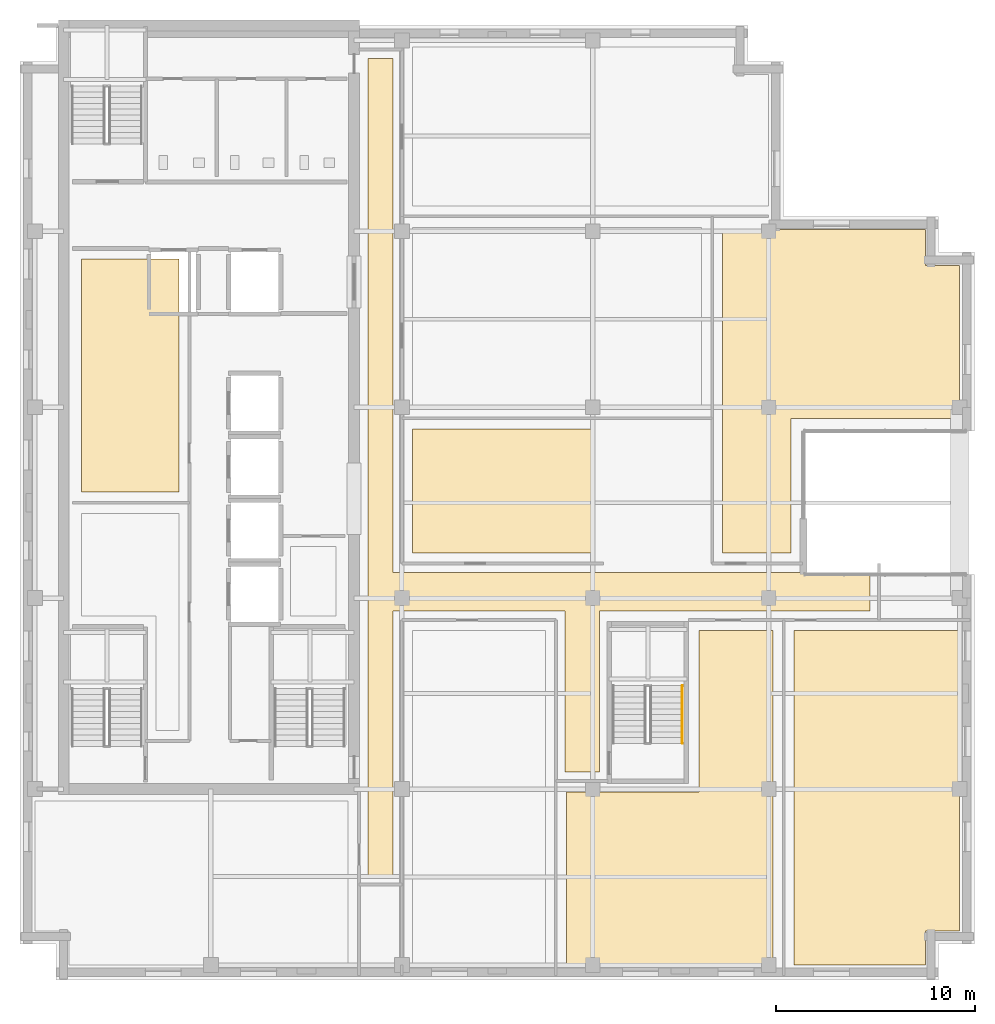
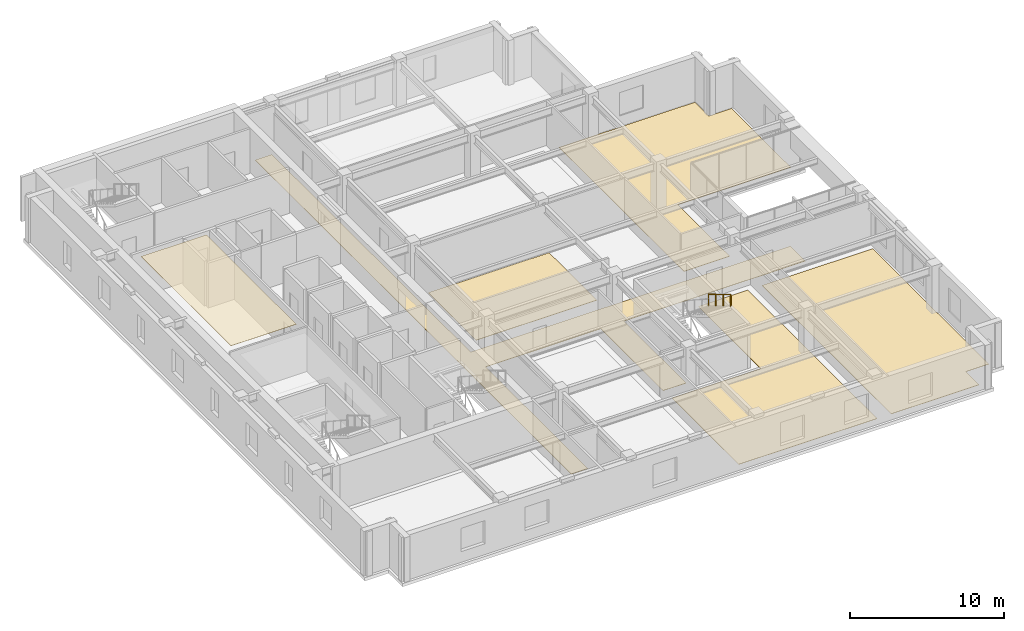
# One storey, part 9 of 11: 6 coverings, 1 railing.
"""IFC4 building model written with IfcOpenShell, lengths in metres."""

from ifc_helpers import new_model, si_unit, direction, frame, origin, origin_2d, place, context, subcontext, project, spatial, polyline, circle, outline, extrude, material, layer, layer_set, type_object, element, save


model = new_model("IFC4")

# Units and contexts
model_context = context("Model", 3, precision=1e-05, world=origin(), true_north=direction((0.0, 1.0)))
body_context = subcontext(model_context, "Body", "Model", "MODEL_VIEW")
ifc_project = project(units=[si_unit("LENGTHUNIT", "METRE"), si_unit("AREAUNIT", "SQUARE_METRE"), si_unit("VOLUMEUNIT", "CUBIC_METRE"), si_unit("PLANEANGLEUNIT", "RADIAN"), si_unit("MASSUNIT", "GRAM", prefix="KILO")], contexts=[model_context])

# Site, building, storey
site_placement = place(None, origin())
site = spatial("IfcSite", under=ifc_project, at=site_placement, CompositionType="ELEMENT")
building_placement = place(site_placement, origin())
building = spatial("IfcBuilding", under=site, at=building_placement, Name="Norrvale University Quadrangle", CompositionType="ELEMENT")
storey_placement = place(building_placement, frame((0.0, 0.0, 281.0)))
storey = spatial("IfcBuildingStorey", under=building, at=storey_placement, Name="L71", CompositionType="ELEMENT", Elevation=281.0)

# Coverings
ifc_material_1 = material(Name="Perforated Acoustic Mineral Ceiling")
ifc_layer_1 = layer(ifc_material_1, 0.02490234375, Name="Perforated Acoustic Mineral Ceiling")
ifc_layer_set_1 = layer_set([ifc_layer_1], Name="Perforated Acoustic Mineral Ceiling")
covering_type_1 = type_object("IfcCoveringType", Name="Covering Acoustic Ceiling 25", PredefinedType="CEILING", material=ifc_layer_set_1)
covering_1_placement = place(storey_placement, frame((0.0, 0.0, 3.514892578125)))
element("IfcCovering", 1, at=covering_1_placement, inside=storey, type_object=covering_type_1, Name="Acoustic Ceiling RM-L71-REC2", PredefinedType="CEILING", context=body_context, shape_type="SweptSolid", body=[
    extrude(outline(polyline([(3.10009765625, 24.550048828125), (3.10009765625, 36.25), (8.0, 36.25), (8.0, 24.550048828125), (3.10009765625, 24.550048828125)])), origin(), (0.0, 0.0, 1.0), 0.025146484375),
])
ifc_material_2 = material(Name="Polished Terrazzo Flooring")
ifc_layer_2 = layer(ifc_material_2, 0.02490234375, Name="Polished Terrazzo Flooring")
ifc_layer_set_2 = layer_set([ifc_layer_2], Name="Polished Terrazzo Flooring")
covering_type_2 = type_object("IfcCoveringType", Name="Covering Terrazzo Floor 30", PredefinedType="FLOORING", material=ifc_layer_set_2)
covering_2_placement = place(storey_placement, origin())
element("IfcCovering", 2, at=covering_2_placement, inside=storey, type_object=covering_type_2, Name="Terrazzo Flooring RM-L71-CORR1", PredefinedType="FLOORING", context=body_context, shape_type="SweptSolid", body=[
    extrude(outline(polyline([(17.5, 5.25), (17.5, 46.35009765625), (18.75, 46.35009765625), (18.75, 20.5), (42.75, 20.5), (42.75, 18.550048828125), (29.1298828125, 18.550048828125), (29.1298828125, 10.449951171875), (27.39990234375, 10.449951171875), (27.39990234375, 18.550048828125), (18.75, 18.550048828125), (18.75, 5.25), (17.5, 5.25)])), origin(), (0.0, 0.0, 1.0), 0.02490234375),
])
covering_3_placement = place(storey_placement, origin())
element("IfcCovering", 3, at=covering_3_placement, inside=storey, type_object=covering_type_2, Name="Terrazzo Flooring RM-L71-SE2", PredefinedType="FLOORING", context=body_context, shape_type="SweptSolid", body=[
    extrude(outline(polyline([(34.14990234375, 9.449951171875), (34.14990234375, 17.570068359375), (37.8701171875, 17.570068359375), (37.8701171875, 0.75), (27.47998046875, 0.75), (27.47998046875, 9.449951171875), (34.14990234375, 9.449951171875)])), origin(), (0.0, 0.0, 1.0), 0.02490234375),
])
covering_4_placement = place(storey_placement, origin())
element("IfcCovering", 4, at=covering_4_placement, inside=storey, type_object=covering_type_2, Name="Terrazzo Flooring RM-L71-SE3", PredefinedType="FLOORING", context=body_context, shape_type="SweptSolid", body=[
    extrude(outline(polyline([(38.929931640625, 17.570068359375), (47.25, 17.570068359375), (47.25, 2.469970703125), (45.530029296875, 2.469970703125), (45.530029296875, 0.75), (38.929931640625, 0.75), (38.929931640625, 17.570068359375)])), origin(), (0.0, 0.0, 1.0), 0.02490234375),
])
covering_5_placement = place(storey_placement, origin())
element("IfcCovering", 5, at=covering_5_placement, inside=storey, type_object=covering_type_2, Name="Terrazzo Flooring RM-L71-MEW", PredefinedType="FLOORING", context=body_context, shape_type="SweptSolid", body=[
    extrude(outline(polyline([(19.72998046875, 21.47998046875), (19.72998046875, 27.699951171875), (28.800048828125, 27.699951171875), (28.800048828125, 21.47998046875), (19.72998046875, 21.47998046875)])), origin(), (0.0, 0.0, 1.0), 0.02490234375),
])
covering_6_placement = place(storey_placement, origin())
element("IfcCovering", 6, at=covering_6_placement, inside=storey, type_object=covering_type_2, Name="Terrazzo Flooring RM-L71-MEE", PredefinedType="FLOORING", context=body_context, shape_type="SweptSolid", body=[
    extrude(outline(polyline([(35.330078125, 21.47998046875), (35.330078125, 37.72998046875), (45.530029296875, 37.72998046875), (45.530029296875, 35.929931640625), (47.25, 35.929931640625), (47.25, 28.22998046875), (38.77001953125, 28.22998046875), (38.77001953125, 21.47998046875), (35.330078125, 21.47998046875)])), origin(), (0.0, 0.0, 1.0), 0.02490234375),
])

# Railing
ifc_material_3 = material(Name="Stainless Steel 316L Handrail", Category="steel")
railing_type = type_object("IfcRailingType", Name="Railing Stair Handrail 920", PredefinedType="HANDRAIL", material=ifc_material_3)
railing_placement = place(storey_placement, frame((33.31005859375, 14.800048828125, 2.07275390625)))
element("IfcRailing", 7, at=railing_placement, inside=storey, type_object=railing_type, Name="Stair Upper Flight Handrail ST-04 L71", PredefinedType="HANDRAIL", context=body_context, shape_type="SweptSolid", body=[
    extrude(circle(Radius=0.02392578125, at=origin_2d()), frame((0.0, 0.0, 0.89599609375), z_axis=(0.0, -0.859160404282, 0.51170636083), x_axis=(1.0, 0.0, 0.0)), (0.0, 0.0, 1.0), 3.37548828125),
    extrude(circle(Radius=0.02099609375, at=origin_2d()), origin(), (0.0, 0.0, 1.0), 0.871826171875),
    extrude(circle(Radius=0.02099609375, at=origin_2d()), frame((0.0, -0.966796875, 0.57568359375)), (0.0, 0.0, 1.0), 0.871826171875),
    extrude(circle(Radius=0.02099609375, at=origin_2d()), frame((0.0, -1.933349609375, 1.151611328125)), (0.0, 0.0, 1.0), 0.871826171875),
    extrude(circle(Radius=0.02099609375, at=origin_2d()), frame((0.0, -2.900146484375, 1.727294921875)), (0.0, 0.0, 1.0), 0.871826171875),
])

save(model, "model.ifc")
